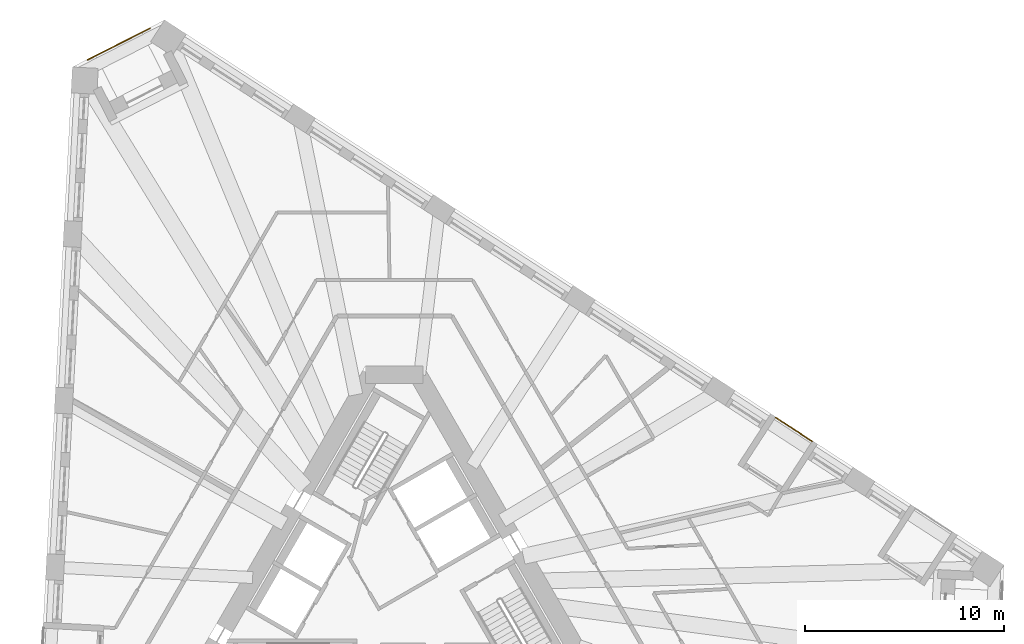
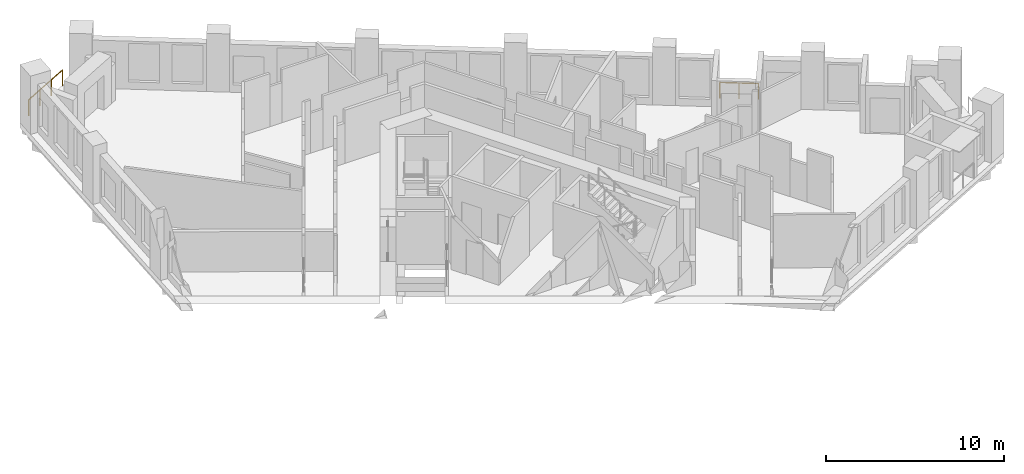
# One storey, part 13 of 13: 2 railings.
"""IFC4 building model written with IfcOpenShell, lengths in metres."""

from ifc_helpers import new_model, si_unit, direction, frame, origin, origin_2d, place, context, subcontext, project, spatial, circle, extrude, material, type_object, element, save


model = new_model("IFC4")

# Units and contexts
model_context = context("Model", 3, precision=1e-05, world=origin(), true_north=direction((0.0, 1.0)))
body_context = subcontext(model_context, "Body", "Model", "MODEL_VIEW")
ifc_project = project(units=[si_unit("LENGTHUNIT", "METRE"), si_unit("AREAUNIT", "SQUARE_METRE"), si_unit("VOLUMEUNIT", "CUBIC_METRE"), si_unit("PLANEANGLEUNIT", "RADIAN"), si_unit("MASSUNIT", "GRAM", prefix="KILO")], contexts=[model_context])

# Site, building, storey
site_placement = place(None, origin())
site = spatial("IfcSite", under=ifc_project, at=site_placement, CompositionType="ELEMENT")
building_placement = place(site_placement, origin())
building = spatial("IfcBuilding", under=site, at=building_placement, Name="Tramontana Tower", CompositionType="ELEMENT")
storey_placement = place(building_placement, frame((0.0, 0.0, 149.60009765625)))
storey = spatial("IfcBuildingStorey", under=building, at=storey_placement, Name="L34", CompositionType="ELEMENT", Elevation=149.60009765625)

# Railings
ifc_material = material(Name="Laminated glass balustrade", Category="glass")
railing_type = type_object("IfcRailingType", Name="GD1 Loggia glass balustrade 1100", PredefinedType="BALUSTRADE", material=ifc_material)
railing_1_placement = place(storey_placement, frame((20.96484375, 7.2158203125, 0.0)))
element("IfcRailing", 1, at=railing_1_placement, inside=storey, type_object=railing_type, Name="Loggia balustrade L34 G3S2.4", PredefinedType="BALUSTRADE", context=body_context, shape_type="SweptSolid", body=[
    extrude(circle(Radius=0.02392578125, at=origin_2d()), frame((0.0, 0.0, 1.076171875), z_axis=(-0.838659986147, 0.544655329209, 0.0), x_axis=(-0.544655329209, -0.838659986147, 0.0)), (0.0, 0.0, 1.0), 2.190673828125),
    extrude(circle(Radius=0.02099609375, at=origin_2d()), origin(), (0.0, 0.0, 1.0), 1.052001953125),
    extrude(circle(Radius=0.02099609375, at=origin_2d()), frame((-0.91845703125, 0.5966796875, 0.0)), (0.0, 0.0, 1.0), 1.052001953125),
    extrude(circle(Radius=0.02099609375, at=origin_2d()), frame((-1.837158203125, 1.193115234375, 0.0)), (0.0, 0.0, 1.0), 1.052001953125),
])
railing_2_placement = place(storey_placement, frame((-15.392333984375, 26.3544921875, 0.0)))
element("IfcRailing", 2, at=railing_2_placement, inside=storey, type_object=railing_type, Name="Corner loggia balustrade L34 K30", PredefinedType="BALUSTRADE", context=body_context, shape_type="SweptSolid", body=[
    extrude(circle(Radius=0.02392578125, at=origin_2d()), frame((0.0, 0.0, 1.076171875), z_axis=(0.891011280655, 0.453981164527, 0.0), x_axis=(-0.453981164527, 0.891011280655, 0.0)), (0.0, 0.0, 1.0), 3.499755859375),
    extrude(circle(Radius=0.02099609375, at=origin_2d()), origin(), (0.0, 0.0, 1.0), 1.052001953125),
    extrude(circle(Radius=0.02099609375, at=origin_2d()), frame((1.03955078125, 0.529541015625, 0.0)), (0.0, 0.0, 1.0), 1.052001953125),
    extrude(circle(Radius=0.02099609375, at=origin_2d()), frame((2.078857421875, 1.059326171875, 0.0)), (0.0, 0.0, 1.0), 1.052001953125),
    extrude(circle(Radius=0.02099609375, at=origin_2d()), frame((3.118408203125, 1.5888671875, 0.0)), (0.0, 0.0, 1.0), 1.052001953125),
])

save(model, "model.ifc")
